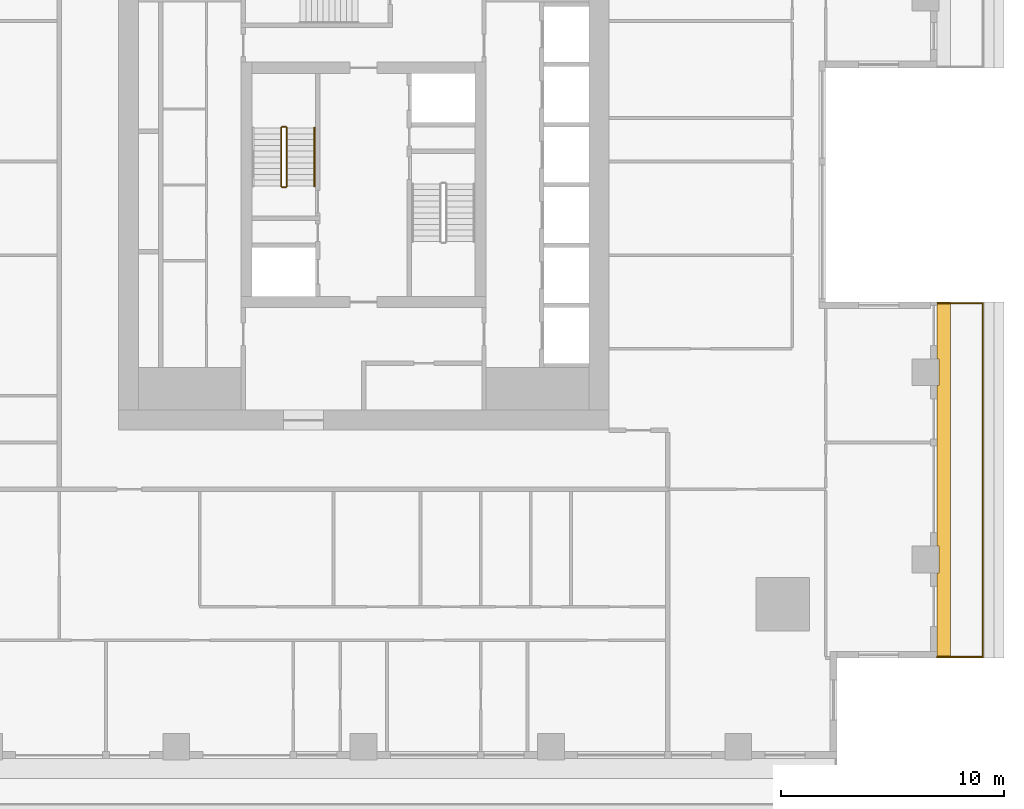
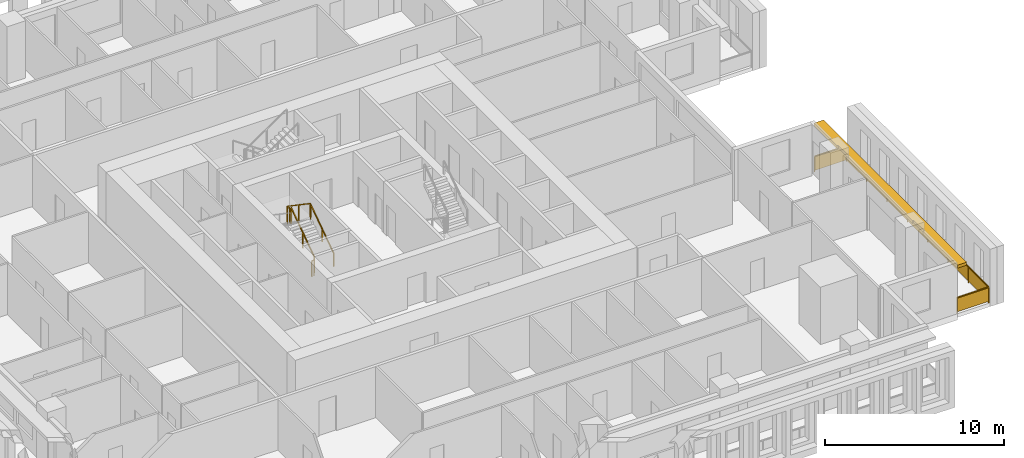
# One storey, part 12 of 15: 6 railings, 1 shading device.
"""IFC4 building model written with IfcOpenShell, lengths in metres."""

from ifc_helpers import new_model, si_unit, direction, frame, origin, origin_2d, place, context, subcontext, project, spatial, polyline, rectangle, outline, extrude, material, layer, layer_set, type_object, element, save


model = new_model("IFC4")

# Units and contexts
model_context = context("Model", 3, precision=1e-05, world=origin(), true_north=direction((0.0, 1.0)))
body_context = subcontext(model_context, "Body", "Model", "MODEL_VIEW")
ifc_project = project(units=[si_unit("LENGTHUNIT", "METRE"), si_unit("AREAUNIT", "SQUARE_METRE"), si_unit("VOLUMEUNIT", "CUBIC_METRE"), si_unit("PLANEANGLEUNIT", "RADIAN"), si_unit("MASSUNIT", "GRAM", prefix="KILO")], contexts=[model_context])

# Site, building, storey
site_placement = place(None, origin())
site = spatial("IfcSite", under=ifc_project, at=site_placement, CompositionType="ELEMENT")
building_placement = place(site_placement, origin())
building = spatial("IfcBuilding", under=site, at=building_placement, Name="Khepri Terraces", CompositionType="ELEMENT")
storey_placement = place(building_placement, frame((0.0, 0.0, 200.10009765625)))
storey = spatial("IfcBuildingStorey", under=building, at=storey_placement, Name="L47", CompositionType="ELEMENT", Elevation=200.10009765625)

# Railings
ifc_material_1 = material(Name="Stainless steel grade 316", Category="steel")
railing_type_1 = type_object("IfcRailingType", Name="GRD-BAL-1100", PredefinedType="GUARDRAIL", material=ifc_material_1)
railing_1_placement = place(storey_placement, frame((25.719970703125, -21.169921875, 0.0)))
element("IfcRailing", 1, at=railing_1_placement, inside=storey, type_object=railing_type_1, Name="Balcony guard L47 E", PredefinedType="GUARDRAIL", context=body_context, shape_type="SweptSolid", body=[
    extrude(rectangle(XDim=0.050048828125, YDim=0.06005859375, at=origin_2d()), frame((0.0, 0.0, 1.070068359375), z_axis=(1.0, 0.0, 0.0), x_axis=(0.0, 1.0, 0.0)), (0.0, 0.0, 1.0), 2.050048828125),
    extrude(rectangle(XDim=2.0, YDim=0.011962890625, at=origin_2d()), frame((1.02490234375, 0.0, 0.10009765625), z_axis=(0.0, 0.0, 1.0), x_axis=(1.0, 0.0, 0.0)), (0.0, 0.0, 1.0), 0.93994140625),
    extrude(rectangle(XDim=0.050048828125, YDim=0.06005859375, at=origin_2d()), frame((2.050048828125, 0.0, 1.070068359375), z_axis=(0.0, 1.0, 0.0), x_axis=(-1.0, 0.0, 0.0)), (0.0, 0.0, 1.0), 15.869873046875),
    extrude(rectangle(XDim=2.217041015625, YDim=0.011962890625, at=origin_2d()), frame((2.050048828125, 1.133544921875, 0.10009765625), z_axis=(0.0, 0.0, 1.0), x_axis=(0.0, 1.0, 0.0)), (0.0, 0.0, 1.0), 0.93994140625),
    extrude(rectangle(XDim=2.217041015625, YDim=0.011962890625, at=origin_2d()), frame((2.050048828125, 3.400634765625, 0.10009765625), z_axis=(0.0, 0.0, 1.0), x_axis=(0.0, 1.0, 0.0)), (0.0, 0.0, 1.0), 0.93994140625),
    extrude(rectangle(XDim=2.217041015625, YDim=0.011962890625, at=origin_2d()), frame((2.050048828125, 5.667724609375, 0.10009765625), z_axis=(0.0, 0.0, 1.0), x_axis=(0.0, 1.0, 0.0)), (0.0, 0.0, 1.0), 0.93994140625),
    extrude(rectangle(XDim=2.217041015625, YDim=0.011962890625, at=origin_2d()), frame((2.050048828125, 7.93505859375, 0.10009765625), z_axis=(0.0, 0.0, 1.0), x_axis=(0.0, 1.0, 0.0)), (0.0, 0.0, 1.0), 0.93994140625),
    extrude(rectangle(XDim=2.217041015625, YDim=0.011962890625, at=origin_2d()), frame((2.050048828125, 10.2021484375, 0.10009765625), z_axis=(0.0, 0.0, 1.0), x_axis=(0.0, 1.0, 0.0)), (0.0, 0.0, 1.0), 0.93994140625),
    extrude(rectangle(XDim=2.217041015625, YDim=0.011962890625, at=origin_2d()), frame((2.050048828125, 12.46923828125, 0.10009765625), z_axis=(0.0, 0.0, 1.0), x_axis=(0.0, 1.0, 0.0)), (0.0, 0.0, 1.0), 0.93994140625),
    extrude(rectangle(XDim=2.217041015625, YDim=0.011962890625, at=origin_2d()), frame((2.050048828125, 14.736328125, 0.10009765625), z_axis=(0.0, 0.0, 1.0), x_axis=(0.0, 1.0, 0.0)), (0.0, 0.0, 1.0), 0.93994140625),
    extrude(rectangle(XDim=0.050048828125, YDim=0.06005859375, at=origin_2d()), frame((2.050048828125, 15.869873046875, 1.070068359375), z_axis=(-1.0, 0.0, 0.0), x_axis=(0.0, -1.0, 0.0)), (0.0, 0.0, 1.0), 2.050048828125),
    extrude(rectangle(XDim=2.0, YDim=0.011962890625, at=origin_2d()), frame((1.02490234375, 15.869873046875, 0.10009765625), z_axis=(0.0, 0.0, 1.0), x_axis=(-1.0, 0.0, 0.0)), (0.0, 0.0, 1.0), 0.93994140625),
    extrude(rectangle(XDim=0.050048828125, YDim=0.050048828125, at=origin_2d()), origin(), (0.0, 0.0, 1.0), 1.0400390625),
    extrude(rectangle(XDim=0.050048828125, YDim=0.050048828125, at=origin_2d()), frame((2.050048828125, 0.0, 0.0)), (0.0, 0.0, 1.0), 1.0400390625),
    extrude(rectangle(XDim=0.050048828125, YDim=0.050048828125, at=origin_2d()), frame((2.050048828125, 2.26708984375, 0.0)), (0.0, 0.0, 1.0), 1.0400390625),
    extrude(rectangle(XDim=0.050048828125, YDim=0.050048828125, at=origin_2d()), frame((2.050048828125, 4.5341796875, 0.0)), (0.0, 0.0, 1.0), 1.0400390625),
    extrude(rectangle(XDim=0.050048828125, YDim=0.050048828125, at=origin_2d()), frame((2.050048828125, 6.80126953125, 0.0)), (0.0, 0.0, 1.0), 1.0400390625),
    extrude(rectangle(XDim=0.050048828125, YDim=0.050048828125, at=origin_2d()), frame((2.050048828125, 9.068603515625, 0.0)), (0.0, 0.0, 1.0), 1.0400390625),
    extrude(rectangle(XDim=0.050048828125, YDim=0.050048828125, at=origin_2d()), frame((2.050048828125, 11.335693359375, 0.0)), (0.0, 0.0, 1.0), 1.0400390625),
    extrude(rectangle(XDim=0.050048828125, YDim=0.050048828125, at=origin_2d()), frame((2.050048828125, 13.602783203125, 0.0)), (0.0, 0.0, 1.0), 1.0400390625),
    extrude(rectangle(XDim=0.050048828125, YDim=0.050048828125, at=origin_2d()), frame((2.050048828125, 15.869873046875, 0.0)), (0.0, 0.0, 1.0), 1.0400390625),
    extrude(rectangle(XDim=0.050048828125, YDim=0.050048828125, at=origin_2d()), frame((0.0, 15.869873046875, 0.0)), (0.0, 0.0, 1.0), 1.0400390625),
])
ifc_material_2 = material(Name="Stainless steel 316", Category="steel")
railing_type_2 = type_object("IfcRailingType", Name="RL-CORE-GUARD", PredefinedType="GUARDRAIL", material=ifc_material_2)
railing_2_placement = place(storey_placement, frame((-3.449951171875, -0.050048828125, 0.17724609375)))
element("IfcRailing", 2, at=railing_2_placement, inside=storey, type_object=railing_type_2, Name="L47 ST-1 stair guard 1", PredefinedType="GUARDRAIL", context=body_context, shape_type="SweptSolid", body=[
    extrude(rectangle(XDim=0.050048828125, YDim=0.06005859375, at=origin_2d()), frame((0.0, 0.0, 1.070068359375), z_axis=(0.0, 0.826240473404, 0.563317565952), x_axis=(-1.0, 0.0, 0.0)), (0.0, 0.0, 1.0), 3.14697265625),
    extrude(rectangle(XDim=0.050048828125, YDim=0.050048828125, at=origin_2d()), origin(), (0.0, 0.0, 1.0), 1.0400390625),
    extrude(rectangle(XDim=0.050048828125, YDim=0.050048828125, at=origin_2d()), frame((0.0, 1.300048828125, 0.88623046875)), (0.0, 0.0, 1.0), 1.0400390625),
    extrude(rectangle(XDim=0.050048828125, YDim=0.050048828125, at=origin_2d()), frame((0.0, 2.60009765625, 1.772705078125)), (0.0, 0.0, 1.0), 1.0400390625),
])
railing_3_placement = place(storey_placement, frame((-3.5, 2.60009765625, 1.949951171875)))
element("IfcRailing", 3, at=railing_3_placement, inside=storey, type_object=railing_type_2, Name="L47 ST-1 stair guard 2", PredefinedType="GUARDRAIL", context=body_context, shape_type="SweptSolid", body=[
    extrude(rectangle(XDim=0.050048828125, YDim=0.06005859375, at=origin_2d()), frame((0.0, 0.0, 1.070068359375), z_axis=(-1.0, 0.0, 0.0), x_axis=(0.0, -1.0, 0.0)), (0.0, 0.0, 1.0), 0.14990234375),
    extrude(rectangle(XDim=0.050048828125, YDim=0.050048828125, at=origin_2d()), origin(), (0.0, 0.0, 1.0), 1.0400390625),
    extrude(rectangle(XDim=0.050048828125, YDim=0.050048828125, at=origin_2d()), frame((-0.14990234375, 0.0, 0.0)), (0.0, 0.0, 1.0), 1.0400390625),
])
railing_4_placement = place(storey_placement, frame((-3.699951171875, 2.550048828125, 2.127197265625)))
element("IfcRailing", 4, at=railing_4_placement, inside=storey, type_object=railing_type_2, Name="L47 ST-1 stair guard 3", PredefinedType="GUARDRAIL", context=body_context, shape_type="SweptSolid", body=[
    extrude(rectangle(XDim=0.050048828125, YDim=0.06005859375, at=origin_2d()), frame((0.0, 0.0, 1.070068359375), z_axis=(0.0, -0.826240473404, 0.563317565952), x_axis=(1.0, 0.0, 0.0)), (0.0, 0.0, 1.0), 3.14697265625),
    extrude(rectangle(XDim=0.050048828125, YDim=0.050048828125, at=origin_2d()), origin(), (0.0, 0.0, 1.0), 1.0400390625),
    extrude(rectangle(XDim=0.050048828125, YDim=0.050048828125, at=origin_2d()), frame((0.0, -1.300048828125, 0.88623046875)), (0.0, 0.0, 1.0), 1.0400390625),
    extrude(rectangle(XDim=0.050048828125, YDim=0.050048828125, at=origin_2d()), frame((0.0, -2.60009765625, 1.772705078125)), (0.0, 0.0, 1.0), 1.0400390625),
])
railing_5_placement = place(storey_placement, frame((-3.5, -0.10009765625, 0.0)))
element("IfcRailing", 5, at=railing_5_placement, inside=storey, type_object=railing_type_2, Name="L47 ST-1 stair guard 4", PredefinedType="GUARDRAIL", context=body_context, shape_type="SweptSolid", body=[
    extrude(rectangle(XDim=0.050048828125, YDim=0.06005859375, at=origin_2d()), frame((0.0, 0.0, 1.070068359375), z_axis=(-1.0, 0.0, 0.0), x_axis=(0.0, -1.0, 0.0)), (0.0, 0.0, 1.0), 0.14990234375),
    extrude(rectangle(XDim=0.050048828125, YDim=0.050048828125, at=origin_2d()), origin(), (0.0, 0.0, 1.0), 1.0400390625),
    extrude(rectangle(XDim=0.050048828125, YDim=0.050048828125, at=origin_2d()), frame((-0.14990234375, 0.0, 0.0)), (0.0, 0.0, 1.0), 1.0400390625),
])
railing_type_3 = type_object("IfcRailingType", Name="RL-CORE-HANDRAIL", PredefinedType="HANDRAIL", material=ifc_material_2)
railing_6_placement = place(storey_placement, frame((-2.199951171875, -0.050048828125, 0.17724609375)))
element("IfcRailing", 6, at=railing_6_placement, inside=storey, type_object=railing_type_3, Name="L47 ST-1 stair handrail 1", PredefinedType="HANDRAIL", context=body_context, shape_type="SweptSolid", body=[
    extrude(rectangle(XDim=0.050048828125, YDim=0.050048828125, at=origin_2d()), frame((0.0, 0.0, 0.875), z_axis=(0.0, 0.826240473404, 0.563317565952), x_axis=(-1.0, 0.0, 0.0)), (0.0, 0.0, 1.0), 3.14697265625),
    extrude(rectangle(XDim=0.050048828125, YDim=0.050048828125, at=origin_2d()), origin(), (0.0, 0.0, 1.0), 0.849853515625),
    extrude(rectangle(XDim=0.050048828125, YDim=0.050048828125, at=origin_2d()), frame((0.0, 1.300048828125, 0.88623046875)), (0.0, 0.0, 1.0), 0.849853515625),
    extrude(rectangle(XDim=0.050048828125, YDim=0.050048828125, at=origin_2d()), frame((0.0, 2.60009765625, 1.772705078125)), (0.0, 0.0, 1.0), 0.849853515625),
])

# Shading device
ifc_material_3 = material(Name="Precast concrete C50/60 warm stone", Category="masonry")
ifc_layer = layer(ifc_material_3, 0.199951171875, Name="Precast concrete C50/60 warm stone", Category="masonry")
ifc_layer_set = layer_set([ifc_layer], Name="Precast concrete C50/60 warm stone")
shading_device_type = type_object("IfcShadingDeviceType", Name="SSH-BAND-STONE-200-N", PredefinedType="USERDEFINED", material=ifc_layer_set)
shading_device_placement = place(storey_placement, frame((0.0, 0.0, 3.099853515625)))
element("IfcShadingDevice", 7, at=shading_device_placement, inside=storey, type_object=shading_device_type, Name="Sunshade band L47 E", ObjectType="SUNSHADE", PredefinedType="USERDEFINED", context=body_context, shape_type="SweptSolid", body=[
    extrude(outline(polyline([(25.719970703125, -17.39990234375), (25.719970703125, -21.219970703125), (26.320068359375, -21.219970703125), (26.320068359375, -5.25), (25.719970703125, -5.25), (25.719970703125, -7.800048828125), (25.800048828125, -7.800048828125), (25.800048828125, -9.0), (25.719970703125, -9.0), (25.719970703125, -16.199951171875), (25.800048828125, -16.199951171875), (25.800048828125, -17.39990234375), (25.719970703125, -17.39990234375)])), origin(), (0.0, 0.0, 1.0), 0.199951171875),
])

save(model, "model.ifc")
